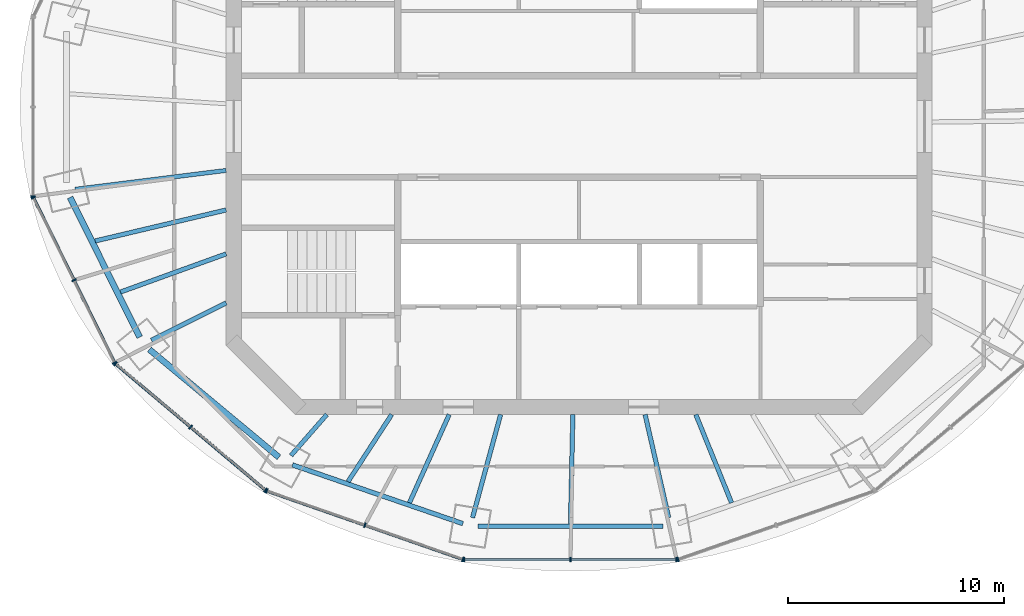
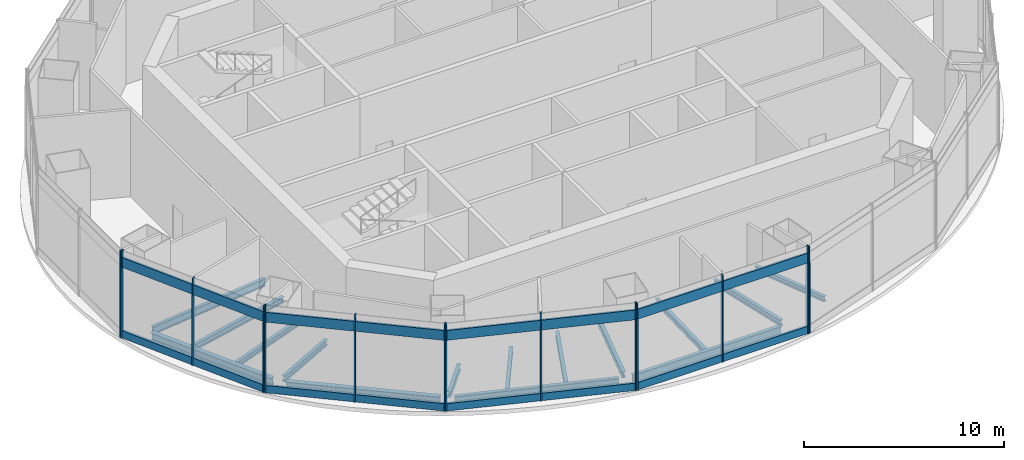
# One storey, part 2 of 13: 36 members, 15 beams, 12 elements without a shape of their own.
"""IFC4 building model written with IfcOpenShell, lengths in metres."""

from ifc_helpers import new_model, si_unit, direction, frame, origin, origin_2d, place, context, subcontext, project, spatial, rectangle, i_section, extrude, material, material_profile, profile_set, type_object, element, aggregate, save


model = new_model("IFC4")

# Units and contexts
model_context = context("Model", 3, precision=1e-05, world=origin(), true_north=direction((0.0, 1.0)))
body_context = subcontext(model_context, "Body", "Model", "MODEL_VIEW")
ifc_project = project(units=[si_unit("LENGTHUNIT", "METRE"), si_unit("AREAUNIT", "SQUARE_METRE"), si_unit("VOLUMEUNIT", "CUBIC_METRE"), si_unit("PLANEANGLEUNIT", "RADIAN"), si_unit("MASSUNIT", "GRAM", prefix="KILO")], contexts=[model_context])

# Site, building, storey
site_placement = place(None, origin())
site = spatial("IfcSite", under=ifc_project, at=site_placement, CompositionType="ELEMENT")
building_placement = place(site_placement, origin())
building = spatial("IfcBuilding", under=site, at=building_placement, Name="Marenthal Gate Tower", CompositionType="ELEMENT")
storey_placement = place(building_placement, frame((0.0, 0.0, 401.949951171875)))
storey = spatial("IfcBuildingStorey", under=building, at=storey_placement, Name="L91", CompositionType="ELEMENT", Elevation=401.949951171875)

# Curtain wall, member
ifc_material_1 = material(Name="Aluminium and glass", Category="aluminium")
curtain_wall_type_1 = type_object("IfcCurtainWallType", Name="Curtain wall crown clad", PredefinedType="NOTDEFINED", material=ifc_material_1)
curtain_wall_1_placement = place(storey_placement, origin())
curtain_wall_1 = element("IfcCurtainWall", 1, at=curtain_wall_1_placement, inside=storey, type_object=curtain_wall_type_1, Name="Curtain wall L91 bay 8 head band", PredefinedType="NOTDEFINED")
ifc_material_2 = material(Name="Aluminium", Category="aluminium")
ifc_material_profile_1 = material_profile(ifc_material_2, rectangle(XDim=0.199951171875, YDim=0.06005859375, at=origin_2d()), Name="60x200 aluminium mullion")
ifc_profile_set_1 = profile_set([ifc_material_profile_1], Name="Aluminium")
member_type_1 = type_object("IfcMemberType", Name="Mullion 60x200 crown clad", PredefinedType="MULLION", material=ifc_profile_set_1)
member_1_placement = place(storey_placement, frame((-25.292236328125, -3.240966796875, 4.300048828125), z_axis=(0.0, 0.0, 1.0), x_axis=(1.0, 0.0, 0.0)))
member_1 = element("IfcMember", 2, at=member_1_placement, type_object=member_type_1, Name="Mullion L91 bay 8.3", PredefinedType="MULLION", context=body_context, shape_type="SweptSolid", body=[
    extrude(rectangle(XDim=0.199951171875, YDim=0.06005859375, at=origin_2d()), origin(), (0.0, 0.0, 1.0), 1.0),
])
aggregate(curtain_wall_1, [member_1])

# Curtain wall, members
curtain_wall_2_placement = place(storey_placement, origin())
curtain_wall_2 = element("IfcCurtainWall", 3, at=curtain_wall_2_placement, inside=storey, type_object=curtain_wall_type_1, Name="Curtain wall L91 bay 9 head band", PredefinedType="NOTDEFINED")
member_2_placement = place(storey_placement, frame((-25.279052734375, -3.2978515625, 4.300048828125), z_axis=(0.0, 0.0, 1.0), x_axis=(0.897385793576, 0.441246798842, 0.0)))
member_2 = element("IfcMember", 4, at=member_2_placement, type_object=member_type_1, Name="Mullion L91 bay 9.1", PredefinedType="MULLION", context=body_context, shape_type="SweptSolid", body=[
    extrude(rectangle(XDim=0.199951171875, YDim=0.06005859375, at=origin_2d()), origin(), (0.0, 0.0, 1.0), 1.0),
])
member_3_placement = place(storey_placement, frame((-23.3974609375, -7.12451171875, 4.300048828125), z_axis=(0.0, 0.0, 1.0), x_axis=(0.897385793576, 0.441246798842, 0.0)))
member_3 = element("IfcMember", 5, at=member_3_placement, type_object=member_type_1, Name="Mullion L91 bay 9.2", PredefinedType="MULLION", context=body_context, shape_type="SweptSolid", body=[
    extrude(rectangle(XDim=0.199951171875, YDim=0.06005859375, at=origin_2d()), origin(), (0.0, 0.0, 1.0), 1.0),
])
member_4_placement = place(storey_placement, frame((-21.515869140625, -10.951171875, 4.300048828125), z_axis=(0.0, 0.0, 1.0), x_axis=(0.897385793576, 0.441246798842, 0.0)))
member_4 = element("IfcMember", 6, at=member_4_placement, type_object=member_type_1, Name="Mullion L91 bay 9.3", PredefinedType="MULLION", context=body_context, shape_type="SweptSolid", body=[
    extrude(rectangle(XDim=0.199951171875, YDim=0.06005859375, at=origin_2d()), origin(), (0.0, 0.0, 1.0), 1.0),
])

curtain_wall_3_placement = place(storey_placement, origin())
curtain_wall_3 = element("IfcCurtainWall", 7, at=curtain_wall_3_placement, inside=storey, type_object=curtain_wall_type_1, Name="Curtain wall L91 bay 10 head band", PredefinedType="NOTDEFINED")
member_5_placement = place(storey_placement, frame((-21.479736328125, -10.997314453125, 4.300048828125), z_axis=(0.0, 0.0, 1.0), x_axis=(0.644265226944, 0.764802142616, 0.0)))
member_5 = element("IfcMember", 8, at=member_5_placement, type_object=member_type_1, Name="Mullion L91 bay 10.1", PredefinedType="MULLION", context=body_context, shape_type="SweptSolid", body=[
    extrude(rectangle(XDim=0.199951171875, YDim=0.06005859375, at=origin_2d()), origin(), (0.0, 0.0, 1.0), 1.0),
])
member_6_placement = place(storey_placement, frame((-18.00146484375, -13.927490234375, 4.300048828125), z_axis=(0.0, 0.0, 1.0), x_axis=(0.644265226944, 0.764802142616, 0.0)))
member_6 = element("IfcMember", 9, at=member_6_placement, type_object=member_type_1, Name="Mullion L91 bay 10.2", PredefinedType="MULLION", context=body_context, shape_type="SweptSolid", body=[
    extrude(rectangle(XDim=0.199951171875, YDim=0.06005859375, at=origin_2d()), origin(), (0.0, 0.0, 1.0), 1.0),
])
member_7_placement = place(storey_placement, frame((-14.5234375, -16.857421875, 4.300048828125), z_axis=(0.0, 0.0, 1.0), x_axis=(0.644265226944, 0.764802142616, 0.0)))
member_7 = element("IfcMember", 10, at=member_7_placement, type_object=member_type_1, Name="Mullion L91 bay 10.3", PredefinedType="MULLION", context=body_context, shape_type="SweptSolid", body=[
    extrude(rectangle(XDim=0.199951171875, YDim=0.06005859375, at=origin_2d()), origin(), (0.0, 0.0, 1.0), 1.0),
])

curtain_wall_4_placement = place(storey_placement, origin())
curtain_wall_4 = element("IfcCurtainWall", 11, at=curtain_wall_4_placement, inside=storey, type_object=curtain_wall_type_1, Name="Curtain wall L91 bay 11 head band", PredefinedType="NOTDEFINED")
member_8_placement = place(storey_placement, frame((-14.47216796875, -16.88671875, 4.300048828125), z_axis=(0.0, 0.0, 1.0), x_axis=(0.329453888639, 0.944171666203, 0.0)))
member_8 = element("IfcMember", 12, at=member_8_placement, type_object=member_type_1, Name="Mullion L91 bay 11.1", PredefinedType="MULLION", context=body_context, shape_type="SweptSolid", body=[
    extrude(rectangle(XDim=0.199951171875, YDim=0.06005859375, at=origin_2d()), origin(), (0.0, 0.0, 1.0), 1.0),
])
member_9_placement = place(storey_placement, frame((-9.92578125, -18.472900390625, 4.300048828125), z_axis=(0.0, 0.0, 1.0), x_axis=(0.329453888639, 0.944171666203, 0.0)))
member_9 = element("IfcMember", 13, at=member_9_placement, type_object=member_type_1, Name="Mullion L91 bay 11.2", PredefinedType="MULLION", context=body_context, shape_type="SweptSolid", body=[
    extrude(rectangle(XDim=0.199951171875, YDim=0.06005859375, at=origin_2d()), origin(), (0.0, 0.0, 1.0), 1.0),
])
member_10_placement = place(storey_placement, frame((-5.379638671875, -20.059326171875, 4.300048828125), z_axis=(0.0, 0.0, 1.0), x_axis=(0.329453888639, 0.944171666203, 0.0)))
member_10 = element("IfcMember", 14, at=member_10_placement, type_object=member_type_1, Name="Mullion L91 bay 11.3", PredefinedType="MULLION", context=body_context, shape_type="SweptSolid", body=[
    extrude(rectangle(XDim=0.199951171875, YDim=0.06005859375, at=origin_2d()), origin(), (0.0, 0.0, 1.0), 1.0),
])

curtain_wall_5_placement = place(storey_placement, origin())
curtain_wall_5 = element("IfcCurtainWall", 15, at=curtain_wall_5_placement, inside=storey, type_object=curtain_wall_type_1, Name="Curtain wall L91 bay 12 head band", PredefinedType="NOTDEFINED")
member_11_placement = place(storey_placement, frame((-5.3212890625, -20.069091796875, 4.300048828125), z_axis=(0.0, 0.0, 1.0), x_axis=(0.0, 1.0, 0.0)))
member_11 = element("IfcMember", 16, at=member_11_placement, type_object=member_type_1, Name="Mullion L91 bay 12.1", PredefinedType="MULLION", context=body_context, shape_type="SweptSolid", body=[
    extrude(rectangle(XDim=0.199951171875, YDim=0.06005859375, at=origin_2d()), origin(), (0.0, 0.0, 1.0), 1.0),
])
member_12_placement = place(storey_placement, frame((-0.39990234375, -20.069091796875, 4.300048828125), z_axis=(0.0, 0.0, 1.0), x_axis=(0.0, 1.0, 0.0)))
member_12 = element("IfcMember", 17, at=member_12_placement, type_object=member_type_1, Name="Mullion L91 bay 12.2", PredefinedType="MULLION", context=body_context, shape_type="SweptSolid", body=[
    extrude(rectangle(XDim=0.199951171875, YDim=0.06005859375, at=origin_2d()), origin(), (0.0, 0.0, 1.0), 1.0),
])
member_13_placement = place(storey_placement, frame((4.521484375, -20.069091796875, 4.300048828125), z_axis=(0.0, 0.0, 1.0), x_axis=(0.0, 1.0, 0.0)))
member_13 = element("IfcMember", 18, at=member_13_placement, type_object=member_type_1, Name="Mullion L91 bay 12.3", PredefinedType="MULLION", context=body_context, shape_type="SweptSolid", body=[
    extrude(rectangle(XDim=0.199951171875, YDim=0.06005859375, at=origin_2d()), origin(), (0.0, 0.0, 1.0), 1.0),
])

# Curtain wall, member
curtain_wall_6_placement = place(storey_placement, origin())
curtain_wall_6 = element("IfcCurtainWall", 19, at=curtain_wall_6_placement, inside=storey, type_object=curtain_wall_type_1, Name="Curtain wall L91 bay 13 head band", PredefinedType="NOTDEFINED")
member_14_placement = place(storey_placement, frame((4.579833984375, -20.059326171875, 4.300048828125), z_axis=(0.0, 0.0, 1.0), x_axis=(-0.329453888639, 0.944171666203, 0.0)))
member_14 = element("IfcMember", 20, at=member_14_placement, type_object=member_type_1, Name="Mullion L91 bay 13.1", PredefinedType="MULLION", context=body_context, shape_type="SweptSolid", body=[
    extrude(rectangle(XDim=0.199951171875, YDim=0.06005859375, at=origin_2d()), origin(), (0.0, 0.0, 1.0), 1.0),
])
aggregate(curtain_wall_6, [member_14])

ifc_material_3 = material(Name="Aluminium and glass", Category="aluminium")
curtain_wall_type_2 = type_object("IfcCurtainWallType", Name="Curtain wall observation", PredefinedType="NOTDEFINED", material=ifc_material_3)
curtain_wall_7_placement = place(storey_placement, origin())
curtain_wall_7 = element("IfcCurtainWall", 21, at=curtain_wall_7_placement, inside=storey, type_object=curtain_wall_type_2, Name="Curtain wall L91 bay 8", PredefinedType="NOTDEFINED")
ifc_material_4 = material(Name="Aluminium", Category="aluminium")
ifc_material_profile_2 = material_profile(ifc_material_4, rectangle(XDim=0.219970703125, YDim=0.070068359375, at=origin_2d()), Name="70x220 aluminium mullion")
ifc_profile_set_2 = profile_set([ifc_material_profile_2], Name="Aluminium")
member_type_2 = type_object("IfcMemberType", Name="Mullion 70x220 observation", PredefinedType="MULLION", material=ifc_profile_set_2)
member_15_placement = place(storey_placement, frame((-25.292236328125, -3.240966796875, 0.0), z_axis=(0.0, 0.0, 1.0), x_axis=(1.0, 0.0, 0.0)))
member_15 = element("IfcMember", 22, at=member_15_placement, type_object=member_type_2, Name="Mullion L91 bay 8.3", PredefinedType="MULLION", context=body_context, shape_type="SweptSolid", body=[
    extrude(rectangle(XDim=0.219970703125, YDim=0.070068359375, at=origin_2d()), origin(), (0.0, 0.0, 1.0), 4.300048828125),
])
aggregate(curtain_wall_7, [member_15])

# Curtain wall, members
curtain_wall_8_placement = place(storey_placement, origin())
curtain_wall_8 = element("IfcCurtainWall", 23, at=curtain_wall_8_placement, inside=storey, type_object=curtain_wall_type_2, Name="Curtain wall L91 bay 9", PredefinedType="NOTDEFINED")
member_16_placement = place(storey_placement, frame((-25.279052734375, -3.2978515625, 0.0), z_axis=(0.0, 0.0, 1.0), x_axis=(0.897385793576, 0.441246798842, 0.0)))
member_16 = element("IfcMember", 24, at=member_16_placement, type_object=member_type_2, Name="Mullion L91 bay 9.1", PredefinedType="MULLION", context=body_context, shape_type="SweptSolid", body=[
    extrude(rectangle(XDim=0.219970703125, YDim=0.070068359375, at=origin_2d()), origin(), (0.0, 0.0, 1.0), 4.300048828125),
])
member_17_placement = place(storey_placement, frame((-23.3974609375, -7.12451171875, 0.0), z_axis=(0.0, 0.0, 1.0), x_axis=(0.897385793576, 0.441246798842, 0.0)))
member_17 = element("IfcMember", 25, at=member_17_placement, type_object=member_type_2, Name="Mullion L91 bay 9.2", PredefinedType="MULLION", context=body_context, shape_type="SweptSolid", body=[
    extrude(rectangle(XDim=0.219970703125, YDim=0.070068359375, at=origin_2d()), origin(), (0.0, 0.0, 1.0), 4.300048828125),
])
member_18_placement = place(storey_placement, frame((-21.515869140625, -10.951171875, 0.0), z_axis=(0.0, 0.0, 1.0), x_axis=(0.897385793576, 0.441246798842, 0.0)))
member_18 = element("IfcMember", 26, at=member_18_placement, type_object=member_type_2, Name="Mullion L91 bay 9.3", PredefinedType="MULLION", context=body_context, shape_type="SweptSolid", body=[
    extrude(rectangle(XDim=0.219970703125, YDim=0.070068359375, at=origin_2d()), origin(), (0.0, 0.0, 1.0), 4.300048828125),
])

curtain_wall_9_placement = place(storey_placement, origin())
curtain_wall_9 = element("IfcCurtainWall", 27, at=curtain_wall_9_placement, inside=storey, type_object=curtain_wall_type_2, Name="Curtain wall L91 bay 10", PredefinedType="NOTDEFINED")
member_19_placement = place(storey_placement, frame((-21.479736328125, -10.997314453125, 0.0), z_axis=(0.0, 0.0, 1.0), x_axis=(0.644265226944, 0.764802142616, 0.0)))
member_19 = element("IfcMember", 28, at=member_19_placement, type_object=member_type_2, Name="Mullion L91 bay 10.1", PredefinedType="MULLION", context=body_context, shape_type="SweptSolid", body=[
    extrude(rectangle(XDim=0.219970703125, YDim=0.070068359375, at=origin_2d()), origin(), (0.0, 0.0, 1.0), 4.300048828125),
])
member_20_placement = place(storey_placement, frame((-18.00146484375, -13.927490234375, 0.0), z_axis=(0.0, 0.0, 1.0), x_axis=(0.644265226944, 0.764802142616, 0.0)))
member_20 = element("IfcMember", 29, at=member_20_placement, type_object=member_type_2, Name="Mullion L91 bay 10.2", PredefinedType="MULLION", context=body_context, shape_type="SweptSolid", body=[
    extrude(rectangle(XDim=0.219970703125, YDim=0.070068359375, at=origin_2d()), origin(), (0.0, 0.0, 1.0), 4.300048828125),
])
member_21_placement = place(storey_placement, frame((-14.5234375, -16.857421875, 0.0), z_axis=(0.0, 0.0, 1.0), x_axis=(0.644265226944, 0.764802142616, 0.0)))
member_21 = element("IfcMember", 30, at=member_21_placement, type_object=member_type_2, Name="Mullion L91 bay 10.3", PredefinedType="MULLION", context=body_context, shape_type="SweptSolid", body=[
    extrude(rectangle(XDim=0.219970703125, YDim=0.070068359375, at=origin_2d()), origin(), (0.0, 0.0, 1.0), 4.300048828125),
])

curtain_wall_10_placement = place(storey_placement, origin())
curtain_wall_10 = element("IfcCurtainWall", 31, at=curtain_wall_10_placement, inside=storey, type_object=curtain_wall_type_2, Name="Curtain wall L91 bay 11", PredefinedType="NOTDEFINED")
member_22_placement = place(storey_placement, frame((-14.47216796875, -16.88671875, 0.0), z_axis=(0.0, 0.0, 1.0), x_axis=(0.329453888639, 0.944171666203, 0.0)))
member_22 = element("IfcMember", 32, at=member_22_placement, type_object=member_type_2, Name="Mullion L91 bay 11.1", PredefinedType="MULLION", context=body_context, shape_type="SweptSolid", body=[
    extrude(rectangle(XDim=0.219970703125, YDim=0.070068359375, at=origin_2d()), origin(), (0.0, 0.0, 1.0), 4.300048828125),
])
member_23_placement = place(storey_placement, frame((-9.92578125, -18.472900390625, 0.0), z_axis=(0.0, 0.0, 1.0), x_axis=(0.329453888639, 0.944171666203, 0.0)))
member_23 = element("IfcMember", 33, at=member_23_placement, type_object=member_type_2, Name="Mullion L91 bay 11.2", PredefinedType="MULLION", context=body_context, shape_type="SweptSolid", body=[
    extrude(rectangle(XDim=0.219970703125, YDim=0.070068359375, at=origin_2d()), origin(), (0.0, 0.0, 1.0), 4.300048828125),
])
member_24_placement = place(storey_placement, frame((-5.379638671875, -20.059326171875, 0.0), z_axis=(0.0, 0.0, 1.0), x_axis=(0.329453888639, 0.944171666203, 0.0)))
member_24 = element("IfcMember", 34, at=member_24_placement, type_object=member_type_2, Name="Mullion L91 bay 11.3", PredefinedType="MULLION", context=body_context, shape_type="SweptSolid", body=[
    extrude(rectangle(XDim=0.219970703125, YDim=0.070068359375, at=origin_2d()), origin(), (0.0, 0.0, 1.0), 4.300048828125),
])

curtain_wall_11_placement = place(storey_placement, origin())
curtain_wall_11 = element("IfcCurtainWall", 35, at=curtain_wall_11_placement, inside=storey, type_object=curtain_wall_type_2, Name="Curtain wall L91 bay 12", PredefinedType="NOTDEFINED")
member_25_placement = place(storey_placement, frame((-5.3212890625, -20.069091796875, 0.0), z_axis=(0.0, 0.0, 1.0), x_axis=(0.0, 1.0, 0.0)))
member_25 = element("IfcMember", 36, at=member_25_placement, type_object=member_type_2, Name="Mullion L91 bay 12.1", PredefinedType="MULLION", context=body_context, shape_type="SweptSolid", body=[
    extrude(rectangle(XDim=0.219970703125, YDim=0.070068359375, at=origin_2d()), origin(), (0.0, 0.0, 1.0), 4.300048828125),
])
member_26_placement = place(storey_placement, frame((-0.39990234375, -20.069091796875, 0.0), z_axis=(0.0, 0.0, 1.0), x_axis=(0.0, 1.0, 0.0)))
member_26 = element("IfcMember", 37, at=member_26_placement, type_object=member_type_2, Name="Mullion L91 bay 12.2", PredefinedType="MULLION", context=body_context, shape_type="SweptSolid", body=[
    extrude(rectangle(XDim=0.219970703125, YDim=0.070068359375, at=origin_2d()), origin(), (0.0, 0.0, 1.0), 4.300048828125),
])
member_27_placement = place(storey_placement, frame((4.521484375, -20.069091796875, 0.0), z_axis=(0.0, 0.0, 1.0), x_axis=(0.0, 1.0, 0.0)))
member_27 = element("IfcMember", 38, at=member_27_placement, type_object=member_type_2, Name="Mullion L91 bay 12.3", PredefinedType="MULLION", context=body_context, shape_type="SweptSolid", body=[
    extrude(rectangle(XDim=0.219970703125, YDim=0.070068359375, at=origin_2d()), origin(), (0.0, 0.0, 1.0), 4.300048828125),
])

# Curtain wall, member
curtain_wall_12_placement = place(storey_placement, origin())
curtain_wall_12 = element("IfcCurtainWall", 39, at=curtain_wall_12_placement, inside=storey, type_object=curtain_wall_type_2, Name="Curtain wall L91 bay 13", PredefinedType="NOTDEFINED")
member_28_placement = place(storey_placement, frame((4.579833984375, -20.059326171875, 0.0), z_axis=(0.0, 0.0, 1.0), x_axis=(-0.329453888639, 0.944171666203, 0.0)))
member_28 = element("IfcMember", 40, at=member_28_placement, type_object=member_type_2, Name="Mullion L91 bay 13.1", PredefinedType="MULLION", context=body_context, shape_type="SweptSolid", body=[
    extrude(rectangle(XDim=0.219970703125, YDim=0.070068359375, at=origin_2d()), origin(), (0.0, 0.0, 1.0), 4.300048828125),
])
aggregate(curtain_wall_12, [member_28])

# Member
ifc_material_5 = material(Name="Aluminium", Category="aluminium")
ifc_material_profile_3 = material_profile(ifc_material_5, rectangle(XDim=0.1201171875, YDim=0.60009765625, at=origin_2d()), Name="120x600 aluminium transom")
ifc_profile_set_3 = profile_set([ifc_material_profile_3], Name="Aluminium")
member_type_3 = type_object("IfcMemberType", Name="Transom 120x600 crown clad", PredefinedType="USERDEFINED", material=ifc_profile_set_3)
member_29_placement = place(storey_placement, frame((-25.265869140625, -3.324951171875, 4.60009765625), z_axis=(0.441264852952, -0.8973769161, 0.0), x_axis=(0.8973769161, 0.441264852952, 0.0)))
member_29 = element("IfcMember", 41, at=member_29_placement, type_object=member_type_3, Name="Transom L91 bay 9", ObjectType="TRANSOM", PredefinedType="USERDEFINED", context=body_context, shape_type="SweptSolid", body=[
    extrude(rectangle(XDim=0.1201171875, YDim=0.60009765625, at=origin_2d()), origin(), (0.0, 0.0, 1.0), 8.468505859375),
])

aggregate(curtain_wall_2, [member_2, member_3, member_4, member_29])

member_30_placement = place(storey_placement, frame((-21.456787109375, -11.016845703125, 4.60009765625), z_axis=(0.764801880801, -0.644265537743, 0.0), x_axis=(0.644265537743, 0.764801880801, 0.0)))
member_30 = element("IfcMember", 42, at=member_30_placement, type_object=member_type_3, Name="Transom L91 bay 10", ObjectType="TRANSOM", PredefinedType="USERDEFINED", context=body_context, shape_type="SweptSolid", body=[
    extrude(rectangle(XDim=0.1201171875, YDim=0.60009765625, at=origin_2d()), origin(), (0.0, 0.0, 1.0), 9.03564453125),
])

aggregate(curtain_wall_3, [member_5, member_6, member_7, member_30])

member_31_placement = place(storey_placement, frame((-14.44384765625, -16.896484375, 4.60009765625), z_axis=(0.944166966331, -0.329467357547, 0.0), x_axis=(0.329467357547, 0.944166966331, 0.0)))
member_31 = element("IfcMember", 43, at=member_31_placement, type_object=member_type_3, Name="Transom L91 bay 11", ObjectType="TRANSOM", PredefinedType="USERDEFINED", context=body_context, shape_type="SweptSolid", body=[
    extrude(rectangle(XDim=0.1201171875, YDim=0.60009765625, at=origin_2d()), origin(), (0.0, 0.0, 1.0), 9.5703125),
])

aggregate(curtain_wall_4, [member_8, member_9, member_10, member_31])

member_32_placement = place(storey_placement, frame((-5.29150390625, -20.069091796875, 4.60009765625), z_axis=(1.0, 0.0, 0.0), x_axis=(0.0, 1.0, 0.0)))
member_32 = element("IfcMember", 44, at=member_32_placement, type_object=member_type_3, Name="Transom L91 bay 12", ObjectType="TRANSOM", PredefinedType="USERDEFINED", context=body_context, shape_type="SweptSolid", body=[
    extrude(rectangle(XDim=0.1201171875, YDim=0.60009765625, at=origin_2d()), origin(), (0.0, 0.0, 1.0), 9.782958984375),
])

aggregate(curtain_wall_5, [member_11, member_12, member_13, member_32])

ifc_material_6 = material(Name="Aluminium", Category="aluminium")
ifc_material_profile_4 = material_profile(ifc_material_6, rectangle(XDim=0.139892578125, YDim=0.449951171875, at=origin_2d()), Name="140x450 aluminium transom")
ifc_profile_set_4 = profile_set([ifc_material_profile_4], Name="Aluminium")
member_type_4 = type_object("IfcMemberType", Name="Transom 140x450 observation", PredefinedType="USERDEFINED", material=ifc_profile_set_4)
member_33_placement = place(storey_placement, frame((-25.263671875, -3.329345703125, 0.22509765625), z_axis=(0.441246116327, -0.89738612917, 0.0), x_axis=(0.89738612917, 0.441246116327, 0.0)))
member_33 = element("IfcMember", 45, at=member_33_placement, type_object=member_type_4, Name="Transom L91 bay 9", ObjectType="TRANSOM", PredefinedType="USERDEFINED", context=body_context, shape_type="SweptSolid", body=[
    extrude(rectangle(XDim=0.139892578125, YDim=0.449951171875, at=origin_2d()), origin(), (0.0, 0.0, 1.0), 8.458251953125),
])

aggregate(curtain_wall_8, [member_16, member_17, member_18, member_33])

member_34_placement = place(storey_placement, frame((-21.452880859375, -11.02001953125, 0.22509765625), z_axis=(0.764800357968, -0.64426734548, 0.0), x_axis=(0.64426734548, 0.764800357968, 0.0)))
member_34 = element("IfcMember", 46, at=member_34_placement, type_object=member_type_4, Name="Transom L91 bay 10", ObjectType="TRANSOM", PredefinedType="USERDEFINED", context=body_context, shape_type="SweptSolid", body=[
    extrude(rectangle(XDim=0.139892578125, YDim=0.449951171875, at=origin_2d()), origin(), (0.0, 0.0, 1.0), 9.025634765625),
])

aggregate(curtain_wall_9, [member_19, member_20, member_21, member_34])

member_35_placement = place(storey_placement, frame((-14.43896484375, -16.898193359375, 0.22509765625), z_axis=(0.944167299887, -0.329466401662, 0.0), x_axis=(0.329466401662, 0.944167299887, 0.0)))
member_35 = element("IfcMember", 47, at=member_35_placement, type_object=member_type_4, Name="Transom L91 bay 11", ObjectType="TRANSOM", PredefinedType="USERDEFINED", context=body_context, shape_type="SweptSolid", body=[
    extrude(rectangle(XDim=0.139892578125, YDim=0.449951171875, at=origin_2d()), origin(), (0.0, 0.0, 1.0), 9.559814453125),
])

aggregate(curtain_wall_10, [member_22, member_23, member_24, member_35])

member_36_placement = place(storey_placement, frame((-5.286376953125, -20.069091796875, 0.22509765625), z_axis=(1.0, 0.0, 0.0), x_axis=(0.0, 1.0, 0.0)))
member_36 = element("IfcMember", 48, at=member_36_placement, type_object=member_type_4, Name="Transom L91 bay 12", ObjectType="TRANSOM", PredefinedType="USERDEFINED", context=body_context, shape_type="SweptSolid", body=[
    extrude(rectangle(XDim=0.139892578125, YDim=0.449951171875, at=origin_2d()), origin(), (0.0, 0.0, 1.0), 9.772705078125),
])

aggregate(curtain_wall_11, [member_25, member_26, member_27, member_36])

# Beams
ifc_material_7 = material(Name="Steel S355", Category="steel")
ifc_material_profile_5 = material_profile(ifc_material_7, i_section(OverallWidth=0.205078125, OverallDepth=0.31005859375, WebThickness=0.009521484375, FlangeThickness=0.016357421875, FilletRadius=0.0126953125, at=origin_2d()), Name="W310X74")
ifc_profile_set_5 = profile_set([ifc_material_profile_5], Name="Steel S355")
beam_type_1 = type_object("IfcBeamType", Name="W310X74 beam", PredefinedType="BEAM", material=ifc_profile_set_5)
beam_1_placement = place(storey_placement, frame((-21.241455078125, -7.67333984375, -0.405029296875), z_axis=(0.940521819809, 0.339733287245, 0.0), x_axis=(-0.339733287245, 0.940521819809, 0.0)))
element("IfcBeam", 49, at=beam_1_placement, inside=storey, type_object=beam_type_1, Name="BM-L91-29", PredefinedType="BEAM", context=body_context, shape_type="SweptSolid", body=[
    extrude(i_section(OverallWidth=0.205078125, OverallDepth=0.31005859375, WebThickness=0.009521484375, FlangeThickness=0.016357421875, FilletRadius=0.0126953125, at=origin_2d()), origin(), (0.0, 0.0, 1.0), 5.20068359375),
])
beam_2_placement = place(storey_placement, frame((-10.703125, -16.456787109375, -0.405029296875), z_axis=(0.5452083119, 0.838300600402, 0.0), x_axis=(-0.838300600402, 0.5452083119, 0.0)))
element("IfcBeam", 50, at=beam_2_placement, inside=storey, type_object=beam_type_1, Name="BM-L91-30", PredefinedType="BEAM", context=body_context, shape_type="SweptSolid", body=[
    extrude(i_section(OverallWidth=0.205078125, OverallDepth=0.31005859375, WebThickness=0.009521484375, FlangeThickness=0.016357421875, FilletRadius=0.0126953125, at=origin_2d()), origin(), (0.0, 0.0, 1.0), 3.7060546875),
])
beam_3_placement = place(storey_placement, frame((-7.859130859375, -17.43701171875, -0.405029296875), z_axis=(0.410908081991, 0.911676778334, 0.0), x_axis=(-0.911676778334, 0.410908081991, 0.0)))
element("IfcBeam", 51, at=beam_3_placement, inside=storey, type_object=beam_type_1, Name="BM-L91-31", PredefinedType="BEAM", context=body_context, shape_type="SweptSolid", body=[
    extrude(i_section(OverallWidth=0.205078125, OverallDepth=0.31005859375, WebThickness=0.009521484375, FlangeThickness=0.016357421875, FilletRadius=0.0126953125, at=origin_2d()), origin(), (0.0, 0.0, 1.0), 4.48291015625),
])
beam_4_placement = place(storey_placement, frame((-0.397705078125, -18.41357421875, -0.405029296875), z_axis=(0.021595733831, 0.999766784946, 0.0), x_axis=(-0.999766784946, 0.021595733831, 0.0)))
element("IfcBeam", 52, at=beam_4_placement, inside=storey, type_object=beam_type_1, Name="BM-L91-32", PredefinedType="BEAM", context=body_context, shape_type="SweptSolid", body=[
    extrude(i_section(OverallWidth=0.205078125, OverallDepth=0.31005859375, WebThickness=0.009521484375, FlangeThickness=0.016357421875, FilletRadius=0.0126953125, at=origin_2d()), origin(), (0.0, 0.0, 1.0), 5.064697265625),
])
beam_5_placement = place(storey_placement, frame((7.06298828125, -17.435546875, -0.405029296875), z_axis=(-0.375464682807, 0.926836701887, 0.0), x_axis=(-0.926836701887, -0.375464682807, 0.0)))
element("IfcBeam", 53, at=beam_5_placement, inside=storey, type_object=beam_type_1, Name="BM-L91-33", PredefinedType="BEAM", context=body_context, shape_type="SweptSolid", body=[
    extrude(i_section(OverallWidth=0.205078125, OverallDepth=0.31005859375, WebThickness=0.009521484375, FlangeThickness=0.016357421875, FilletRadius=0.0126953125, at=origin_2d()), origin(), (0.0, 0.0, 1.0), 4.407958984375),
])
ifc_material_8 = material(Name="Steel S355", Category="steel")
ifc_material_profile_6 = material_profile(ifc_material_8, i_section(OverallWidth=0.205078125, OverallDepth=0.35302734375, WebThickness=0.009521484375, FlangeThickness=0.016845703125, FilletRadius=0.014892578125, at=origin_2d()), Name="W360X79")
ifc_profile_set_6 = profile_set([ifc_material_profile_6], Name="Steel S355")
beam_type_2 = type_object("IfcBeamType", Name="W360X79 beam", PredefinedType="BEAM", material=ifc_profile_set_6)
beam_6_placement = place(storey_placement, frame((-19.812744140625, -9.912109375, -0.426513671875), z_axis=(0.894313662611, 0.447440580264, 0.0), x_axis=(-0.447440580264, 0.894313662611, 0.0)))
element("IfcBeam", 54, at=beam_6_placement, inside=storey, type_object=beam_type_2, Name="BM-L91-10", PredefinedType="BEAM", context=body_context, shape_type="SweptSolid", body=[
    extrude(i_section(OverallWidth=0.205078125, OverallDepth=0.35302734375, WebThickness=0.009521484375, FlangeThickness=0.016845703125, FilletRadius=0.014892578125, at=origin_2d()), origin(), (0.0, 0.0, 1.0), 3.871826171875),
])
beam_7_placement = place(storey_placement, frame((-13.345703125, -15.24658203125, -0.426513671875), z_axis=(0.658724007976, 0.752384663132, 0.0), x_axis=(-0.752384663132, 0.658724007976, 0.0)))
element("IfcBeam", 55, at=beam_7_placement, inside=storey, type_object=beam_type_2, Name="BM-L91-11", PredefinedType="BEAM", context=body_context, shape_type="SweptSolid", body=[
    extrude(i_section(OverallWidth=0.205078125, OverallDepth=0.35302734375, WebThickness=0.009521484375, FlangeThickness=0.016845703125, FilletRadius=0.014892578125, at=origin_2d()), origin(), (0.0, 0.0, 1.0), 2.520751953125),
])
beam_8_placement = place(storey_placement, frame((-4.936767578125, -18.12890625, -0.426513671875), z_axis=(0.262733655063, 0.964868398538, 0.0), x_axis=(-0.964868398538, 0.262733655063, 0.0)))
element("IfcBeam", 56, at=beam_8_placement, inside=storey, type_object=beam_type_2, Name="BM-L91-12", PredefinedType="BEAM", context=body_context, shape_type="SweptSolid", body=[
    extrude(i_section(OverallWidth=0.205078125, OverallDepth=0.35302734375, WebThickness=0.009521484375, FlangeThickness=0.016845703125, FilletRadius=0.014892578125, at=origin_2d()), origin(), (0.0, 0.0, 1.0), 4.952880859375),
])
beam_9_placement = place(storey_placement, frame((4.1533203125, -18.1279296875, -0.426513671875), z_axis=(-0.223338692396, 0.974740903255, 0.0), x_axis=(-0.974740903255, -0.223338692396, 0.0)))
element("IfcBeam", 57, at=beam_9_placement, inside=storey, type_object=beam_type_2, Name="BM-L91-13", PredefinedType="BEAM", context=body_context, shape_type="SweptSolid", body=[
    extrude(i_section(OverallWidth=0.205078125, OverallDepth=0.35302734375, WebThickness=0.009521484375, FlangeThickness=0.016845703125, FilletRadius=0.014892578125, at=origin_2d()), origin(), (0.0, 0.0, 1.0), 4.901611328125),
])
beam_10_placement = place(storey_placement, frame((-22.418701171875, -5.30908203125, -0.426513671875), z_axis=(0.973081904695, 0.230459555575, 0.0), x_axis=(-0.230459555575, 0.973081904695, 0.0)))
element("IfcBeam", 58, at=beam_10_placement, inside=storey, type_object=beam_type_2, Name="BM-L91-28", PredefinedType="BEAM", context=body_context, shape_type="SweptSolid", body=[
    extrude(i_section(OverallWidth=0.205078125, OverallDepth=0.35302734375, WebThickness=0.009521484375, FlangeThickness=0.016845703125, FilletRadius=0.014892578125, at=origin_2d()), origin(), (0.0, 0.0, 1.0), 6.236572265625),
])
ifc_material_9 = material(Name="Steel S355", Category="steel")
ifc_material_profile_7 = material_profile(ifc_material_9, i_section(OverallWidth=0.279052734375, OverallDepth=0.4619140625, WebThickness=0.0107421875, FlangeThickness=0.017333984375, FilletRadius=0.010009765625, at=origin_2d()), Name="W460X113")
ifc_profile_set_7 = profile_set([ifc_material_profile_7], Name="Steel S355")
beam_type_3 = type_object("IfcBeamType", Name="W460X113 beam", PredefinedType="BEAM", material=ifc_profile_set_7)
beam_11_placement = place(storey_placement, frame((-23.57666015625, -3.296142578125, -0.48095703125), z_axis=(0.445686804831, -0.895188958824, 0.0), x_axis=(0.895188958824, 0.445686804831, 0.0)))
element("IfcBeam", 59, at=beam_11_placement, inside=storey, type_object=beam_type_3, Name="BM-L91-46", PredefinedType="BEAM", context=body_context, shape_type="SweptSolid", body=[
    extrude(i_section(OverallWidth=0.279052734375, OverallDepth=0.4619140625, WebThickness=0.0107421875, FlangeThickness=0.017333984375, FilletRadius=0.010009765625, at=origin_2d()), origin(), (0.0, 0.0, 1.0), 7.230712890625),
])
beam_12_placement = place(storey_placement, frame((-19.906494140625, -10.335205078125, -0.48095703125), z_axis=(0.76874123216, -0.63955994088, 0.0), x_axis=(0.63955994088, 0.76874123216, 0.0)))
element("IfcBeam", 60, at=beam_12_placement, inside=storey, type_object=beam_type_3, Name="BM-L91-47", PredefinedType="BEAM", context=body_context, shape_type="SweptSolid", body=[
    extrude(i_section(OverallWidth=0.279052734375, OverallDepth=0.4619140625, WebThickness=0.0107421875, FlangeThickness=0.017333984375, FilletRadius=0.010009765625, at=origin_2d()), origin(), (0.0, 0.0, 1.0), 7.80908203125),
])
ifc_material_10 = material(Name="Steel S355", Category="steel")
ifc_material_profile_8 = material_profile(ifc_material_10, i_section(OverallWidth=0.193115234375, OverallDepth=0.467041015625, WebThickness=0.011474609375, FlangeThickness=0.01904296875, FilletRadius=0.010009765625, at=origin_2d()), Name="W460X97")
ifc_profile_set_8 = profile_set([ifc_material_profile_8], Name="Steel S355")
beam_type_4 = type_object("IfcBeamType", Name="W460X97 beam", PredefinedType="BEAM", material=ifc_profile_set_8)
beam_13_placement = place(storey_placement, frame((-23.34033203125, -2.91259765625, -0.4833984375), z_axis=(0.992303448561, 0.123829988185, 0.0), x_axis=(-0.123829988185, 0.992303448561, 0.0)))
element("IfcBeam", 61, at=beam_13_placement, inside=storey, type_object=beam_type_4, Name="BM-L91-09", PredefinedType="BEAM", context=body_context, shape_type="SweptSolid", body=[
    extrude(i_section(OverallWidth=0.193115234375, OverallDepth=0.467041015625, WebThickness=0.011474609375, FlangeThickness=0.01904296875, FilletRadius=0.010009765625, at=origin_2d()), origin(), (0.0, 0.0, 1.0), 7.04443359375),
])
ifc_material_11 = material(Name="Steel S355", Category="steel")
ifc_material_profile_9 = material_profile(ifc_material_11, i_section(OverallWidth=0.2119140625, OverallDepth=0.5439453125, WebThickness=0.01318359375, FlangeThickness=0.021240234375, FilletRadius=0.0126953125, at=origin_2d()), Name="W530X123")
ifc_profile_set_9 = profile_set([ifc_material_profile_9], Name="Steel S355")
beam_type_5 = type_object("IfcBeamType", Name="W530X123 beam", PredefinedType="BEAM", material=ifc_profile_set_9)
beam_14_placement = place(storey_placement, frame((-13.279052734375, -15.681396484375, -0.52197265625), z_axis=(0.94543573541, -0.325808640478, 0.0), x_axis=(0.325808640478, 0.94543573541, 0.0)))
element("IfcBeam", 62, at=beam_14_placement, inside=storey, type_object=beam_type_5, Name="BM-L91-48", PredefinedType="BEAM", context=body_context, shape_type="SweptSolid", body=[
    extrude(i_section(OverallWidth=0.2119140625, OverallDepth=0.5439453125, WebThickness=0.01318359375, FlangeThickness=0.021240234375, FilletRadius=0.0126953125, at=origin_2d()), origin(), (0.0, 0.0, 1.0), 8.34912109375),
])
beam_15_placement = place(storey_placement, frame((-4.681396484375, -18.51953125, -0.52197265625), z_axis=(1.0, 0.0, 0.0), x_axis=(0.0, 1.0, 0.0)))
element("IfcBeam", 63, at=beam_15_placement, inside=storey, type_object=beam_type_5, Name="BM-L91-49", PredefinedType="BEAM", context=body_context, shape_type="SweptSolid", body=[
    extrude(i_section(OverallWidth=0.2119140625, OverallDepth=0.5439453125, WebThickness=0.01318359375, FlangeThickness=0.021240234375, FilletRadius=0.0126953125, at=origin_2d()), origin(), (0.0, 0.0, 1.0), 8.56298828125),
])

save(model, "model.ifc")
